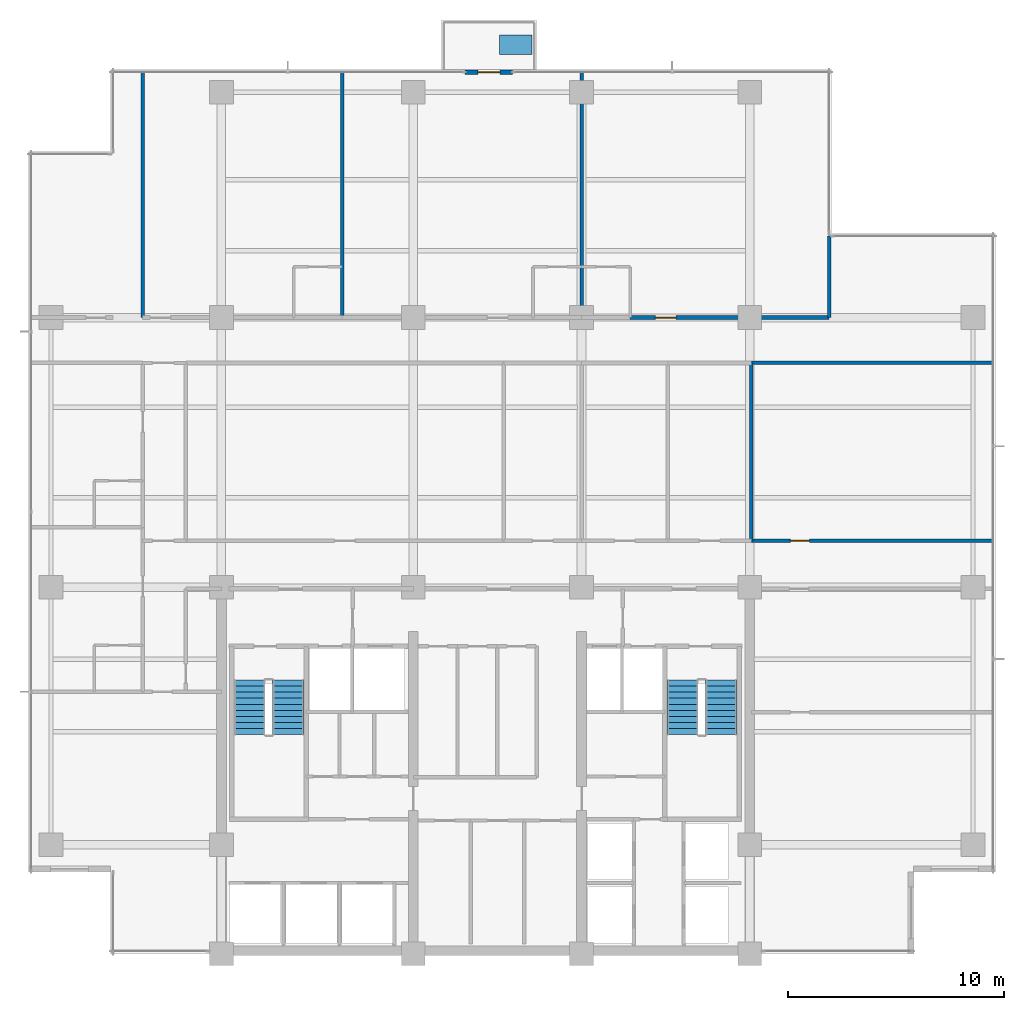
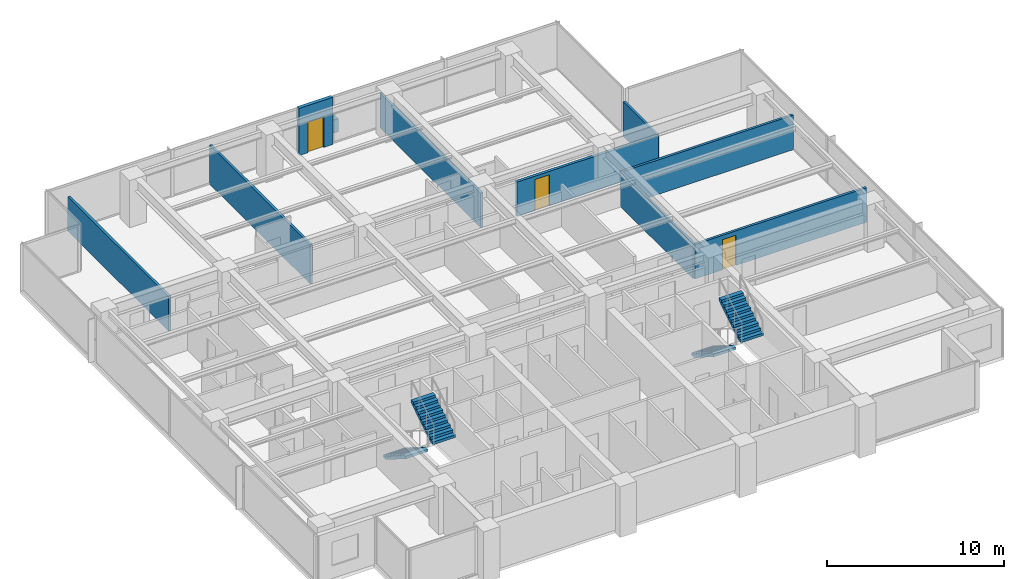
# One storey, part 10 of 15: 9 walls, 4 stair flights, 3 doors, 1 discrete accessory, 3 openings, 2 elements without a shape of their own.
"""IFC4 building model written with IfcOpenShell, lengths in metres."""

from ifc_helpers import new_model, si_unit, direction, frame, frame_2d, origin, place, context, subcontext, project, spatial, polyline, rectangle, outline, extrude, material, layer, layer_set, type_object, element, fill, aggregate, save


model = new_model("IFC4")

# Units and contexts
model_context = context("Model", 3, precision=1e-05, world=origin(), true_north=direction((0.0, 1.0)))
body_context = subcontext(model_context, "Body", "Model", "MODEL_VIEW")
ifc_project = project(units=[si_unit("LENGTHUNIT", "METRE"), si_unit("AREAUNIT", "SQUARE_METRE"), si_unit("VOLUMEUNIT", "CUBIC_METRE"), si_unit("PLANEANGLEUNIT", "RADIAN"), si_unit("MASSUNIT", "GRAM", prefix="KILO")], contexts=[model_context])

# Site, building, storey
site_placement = place(None, origin())
site = spatial("IfcSite", under=ifc_project, at=site_placement, CompositionType="ELEMENT")
building_placement = place(site_placement, origin())
building = spatial("IfcBuilding", under=site, at=building_placement, Name="Qalmaran Belvedere Hotel", CompositionType="ELEMENT")
storey_placement = place(building_placement, frame((0.0, 0.0, 159.60009765625)))
storey = spatial("IfcBuildingStorey", under=building, at=storey_placement, Name="L40", CompositionType="ELEMENT", Elevation=159.60009765625)

# Wall, opening, door
ifc_material_1 = material(Name="Anodised Bronze Cladding")
ifc_layer_1 = layer(ifc_material_1, 0.22509765625, Name="Anodised Bronze Cladding")
ifc_layer_set_1 = layer_set([ifc_layer_1], Name="Anodised Bronze Cladding")
wall_type_1 = type_object("IfcWallType", Name="WL-BAL-PORT-225", PredefinedType="SOLIDWALL", material=ifc_layer_set_1)
wall_1_placement = place(storey_placement, frame((31.60009765625, 44.3798828125, 0.0), z_axis=(0.0, 0.0, 1.0), x_axis=(1.0, 0.0, 0.0)))
wall_1 = element("IfcWall", 1, at=wall_1_placement, inside=storey, type_object=wall_type_1, Name="L40 Tree Balcony Door Portal", PredefinedType="SOLIDWALL", context=body_context, shape_type="SweptSolid", body=[
    extrude(rectangle(XDim=2.199951171875, YDim=0.22509765625, at=frame_2d((1.10009765625, 0.0))), origin(), (0.0, 0.0, 1.0), 3.25),
])
opening_1_placement = place(wall_1_placement, frame((0.590087890625, 0.0, 0.0)))
opening_1 = element("IfcOpeningElement", 2, at=opening_1_placement, cuts=wall_1, Name="Opening BL-102", PredefinedType="OPENING", context=body_context, shape_type="SweptSolid", body=[
    extrude(rectangle(XDim=1.02001953125, YDim=2.10009765625, at=frame_2d((0.510009765625, 1.050048828125))), frame((0.0, 0.12255859375, 0.0), z_axis=(0.0, -1.0, 0.0), x_axis=(1.0, 0.0, 0.0)), (0.0, 0.0, 1.0), 0.2451171875),
])
ifc_material_2 = material(Name="Anodised Bronze Aluminium", Category="aluminium")
door_type_1 = type_object("IfcDoorType", Name="DR-BAL-1020X2100", OperationType="NOTDEFINED", PredefinedType="DOOR", material=ifc_material_2)
door_1_placement = place(opening_1_placement, origin())
door_1 = element("IfcDoor", 3, at=door_1_placement, inside=storey, type_object=door_type_1, Name="L40 Planted Tree Balcony Door", OperationType="SINGLE_SWING_LEFT", OverallHeight=2.10009765625, OverallWidth=1.02001953125, PredefinedType="DOOR", context=body_context, shape_type="SweptSolid", body=[
    extrude(rectangle(XDim=1.02001953125, YDim=2.10009765625, at=frame_2d((0.510009765625, 1.050048828125))), frame((0.0, 0.02490234375, 0.0), z_axis=(0.0, -1.0, 0.0), x_axis=(1.0, 0.0, 0.0)), (0.0, 0.0, 1.0), 0.050048828125),
])
fill(opening_1, door_1)

ifc_material_3 = material(Name="Gypsum Stud Partition")
ifc_layer_2 = layer(ifc_material_3, 0.159912109375, Name="Gypsum Stud Partition")
ifc_layer_set_2 = layer_set([ifc_layer_2], Name="Gypsum Stud Partition")
wall_type_2 = type_object("IfcWallType", Name="WL-INT-160-EI60", PredefinedType="PARTITIONING", material=ifc_layer_set_2)
wall_2_placement = place(storey_placement, frame((44.8798828125, 22.64990234375, 0.0), z_axis=(0.0, 0.0, 1.0), x_axis=(1.0, 0.0, 0.0)))
wall_2 = element("IfcWall", 4, at=wall_2_placement, inside=storey, type_object=wall_type_2, Name="L40 Partition WL-L40-ECE2N", PredefinedType="PARTITIONING", context=body_context, shape_type="SweptSolid", body=[
    extrude(rectangle(XDim=11.2001953125, YDim=0.159912109375, at=frame_2d((5.60009765625, 0.0))), origin(), (0.0, 0.0, 1.0), 2.3798828125),
])
opening_2_placement = place(wall_2_placement, frame((1.800048828125, 0.0, 0.0)))
opening_2 = element("IfcOpeningElement", 5, at=opening_2_placement, cuts=wall_2, Name="Opening FD60B", PredefinedType="OPENING", context=body_context, shape_type="SweptSolid", body=[
    extrude(rectangle(XDim=0.8798828125, YDim=2.080078125, at=frame_2d((0.43994140625, 1.0400390625))), frame((0.0, 0.08984375, 0.0), z_axis=(0.0, -1.0, 0.0), x_axis=(1.0, 0.0, 0.0)), (0.0, 0.0, 1.0), 0.179931640625),
])
ifc_material_4 = material(Name="Steel S355JR", Category="steel")
door_type_2 = type_object("IfcDoorType", Name="DR-FD60B-880X2080", OperationType="NOTDEFINED", PredefinedType="DOOR", material=ifc_material_4)
door_2_placement = place(opening_2_placement, origin())
door_2 = element("IfcDoor", 6, at=door_2_placement, inside=storey, type_object=door_type_2, Name="L40 East Fitness Door", OperationType="SINGLE_SWING_LEFT", OverallHeight=2.080078125, OverallWidth=0.8798828125, PredefinedType="DOOR", context=body_context, shape_type="SweptSolid", body=[
    extrude(rectangle(XDim=0.8798828125, YDim=2.080078125, at=frame_2d((0.43994140625, 1.0400390625))), frame((0.0, 0.02490234375, 0.0), z_axis=(0.0, -1.0, 0.0), x_axis=(1.0, 0.0, 0.0)), (0.0, 0.0, 1.0), 0.050048828125),
])
fill(opening_2, door_2)

# Walls
wall_3_placement = place(storey_placement, frame((44.8798828125, 30.89990234375, 0.0), z_axis=(0.0, 0.0, 1.0), x_axis=(1.0, 0.0, 0.0)))
element("IfcWall", 7, at=wall_3_placement, inside=storey, type_object=wall_type_2, Name="L40 Partition WL-L40-ECEN", PredefinedType="PARTITIONING", context=body_context, shape_type="SweptSolid", body=[
    extrude(rectangle(XDim=11.2001953125, YDim=0.159912109375, at=frame_2d((5.60009765625, 0.0))), origin(), (0.0, 0.0, 1.0), 2.3798828125),
])
wall_4_placement = place(storey_placement, frame((44.8798828125, 22.64990234375, 0.0), z_axis=(0.0, 0.0, 1.0), x_axis=(0.0, 1.0, 0.0)))
element("IfcWall", 8, at=wall_4_placement, inside=storey, type_object=wall_type_2, Name="L40 Partition WL-L40-MIDVR4", PredefinedType="PARTITIONING", context=body_context, shape_type="SweptSolid", body=[
    extrude(rectangle(XDim=8.25, YDim=0.159912109375, at=frame_2d((4.125, 0.0))), origin(), (0.0, 0.0, 1.0), 2.3798828125),
])
wall_5_placement = place(storey_placement, frame((16.64990234375, 33.0, 0.0), z_axis=(0.0, 0.0, 1.0), x_axis=(0.0, 1.0, 0.0)))
element("IfcWall", 9, at=wall_5_placement, inside=storey, type_object=wall_type_2, Name="L40 Partition WL-L40-NUL", PredefinedType="PARTITIONING", context=body_context, shape_type="SweptSolid", body=[
    extrude(rectangle(XDim=11.3798828125, YDim=0.159912109375, at=frame_2d((5.68994140625, 0.0))), origin(), (0.0, 0.0, 1.0), 2.3798828125),
])
wall_6_placement = place(storey_placement, frame((25.897216796875, 33.0, 0.0), z_axis=(0.0, 0.0, 1.0), x_axis=(0.0, 1.0, 0.0)))
element("IfcWall", 10, at=wall_6_placement, inside=storey, type_object=wall_type_2, Name="L40 Partition WL-L40-NUR00", PredefinedType="PARTITIONING", context=body_context, shape_type="SweptSolid", body=[
    extrude(rectangle(XDim=11.3798828125, YDim=0.159912109375, at=frame_2d((5.68994140625, 0.0))), origin(), (0.0, 0.0, 1.0), 2.69189453125),
])
wall_7_placement = place(storey_placement, frame((37.0, 33.0, 0.0), z_axis=(0.0, 0.0, 1.0), x_axis=(0.0, 1.0, 0.0)))
element("IfcWall", 11, at=wall_7_placement, inside=storey, type_object=wall_type_2, Name="L40 Partition WL-L40-NUR01", PredefinedType="PARTITIONING", context=body_context, shape_type="SweptSolid", body=[
    extrude(rectangle(XDim=11.3798828125, YDim=0.159912109375, at=frame_2d((5.68994140625, 0.0))), origin(), (0.0, 0.0, 1.0), 2.3798828125),
])
wall_8_placement = place(storey_placement, frame((48.47998046875, 33.0, 0.0), z_axis=(0.0, 0.0, 1.0), x_axis=(0.0, 1.0, 0.0)))
element("IfcWall", 12, at=wall_8_placement, inside=storey, type_object=wall_type_2, Name="L40 Partition WL-L40-NUR02", PredefinedType="PARTITIONING", context=body_context, shape_type="SweptSolid", body=[
    extrude(rectangle(XDim=3.780029296875, YDim=0.159912109375, at=frame_2d((1.89013671875, 0.0))), origin(), (0.0, 0.0, 1.0), 2.3798828125),
])

# Wall, opening, door
ifc_layer_3 = layer(ifc_material_3, 0.179931640625, Name="Gypsum Stud Partition")
ifc_layer_set_3 = layer_set([ifc_layer_3], Name="Gypsum Stud Partition")
wall_type_3 = type_object("IfcWallType", Name="WL-INT-180-EI60", PredefinedType="PARTITIONING", material=ifc_layer_set_3)
wall_9_placement = place(storey_placement, frame((39.25, 33.0, 0.0), z_axis=(0.0, 0.0, 1.0), x_axis=(1.0, 0.0, 0.0)))
wall_9 = element("IfcWall", 13, at=wall_9_placement, inside=storey, type_object=wall_type_3, Name="L40 Partition WL-L40-NEC02", PredefinedType="PARTITIONING", context=body_context, shape_type="SweptSolid", body=[
    extrude(rectangle(XDim=9.22998046875, YDim=0.179931640625, at=frame_2d((4.614990234375, 0.0))), origin(), (0.0, 0.0, 1.0), 2.3798828125),
])
opening_3_placement = place(wall_9_placement, frame((1.17041015625, 0.0, 0.0)))
opening_3 = element("IfcOpeningElement", 14, at=opening_3_placement, cuts=wall_9, Name="Opening FD60", PredefinedType="OPENING", context=body_context, shape_type="SweptSolid", body=[
    extrude(rectangle(XDim=0.949951171875, YDim=2.14990234375, at=frame_2d((0.47509765625, 1.074951171875))), frame((0.0, 0.10009765625, 0.0), z_axis=(0.0, -1.0, 0.0), x_axis=(1.0, 0.0, 0.0)), (0.0, 0.0, 1.0), 0.199951171875),
])
ifc_material_5 = material(Name="Engineered Oak Veneer")
door_type_3 = type_object("IfcDoorType", Name="DR-FD60-950X2150", OperationType="NOTDEFINED", PredefinedType="DOOR", material=ifc_material_5)
door_3_placement = place(opening_3_placement, origin())
door_3 = element("IfcDoor", 15, at=door_3_placement, inside=storey, type_object=door_type_3, Name="L40 Guest Entrance Door N03", OperationType="SINGLE_SWING_LEFT", OverallHeight=2.14990234375, OverallWidth=0.949951171875, PredefinedType="DOOR", context=body_context, shape_type="SweptSolid", body=[
    extrude(rectangle(XDim=0.949951171875, YDim=2.14990234375, at=frame_2d((0.47509765625, 1.074951171875))), frame((0.0, 0.02490234375, 0.0), z_axis=(0.0, -1.0, 0.0), x_axis=(1.0, 0.0, 0.0)), (0.0, 0.0, 1.0), 0.050048828125),
])
fill(opening_3, door_3)

# Stair, stair flights
ifc_material_6 = material(Name="Concrete C40/50", Category="concrete")
stair_type_1 = type_object("IfcStairType", Name="STR-ST-1-1450-R1750", PredefinedType="HALF_TURN_STAIR", material=ifc_material_6)
stair_1_placement = place(storey_placement, origin())
stair_1 = element("IfcStair", 16, at=stair_1_placement, inside=storey, type_object=stair_type_1, Name="L40 West Core Exit Stair ST-1", PredefinedType="HALF_TURN_STAIR")
ifc_layer_4 = layer(ifc_material_6, 0.14990234375, Name="Concrete C40/50")
ifc_layer_set_4 = layer_set([ifc_layer_4], Name="Concrete C40/50")
stair_flight_type_1 = type_object("IfcStairFlightType", Name="STF-ST-1-1450-R1750", PredefinedType="STRAIGHT", material=ifc_layer_set_4)
stair_flight_1_placement = place(storey_placement, frame((21.60498046875, 16.18994140625, 0.0), z_axis=(0.0, 0.0, 1.0), x_axis=(0.0, -1.0, 0.0)))
stair_flight_1 = element("IfcStairFlight", 17, at=stair_flight_1_placement, type_object=stair_flight_type_1, Name="ST-1 flight 1", NumberOfRisers=10, NumberOfTreads=9, PredefinedType="STRAIGHT", RiserHeight=0.175, TreadLength=0.28, context=body_context, shape_type="SweptSolid", body=[
    extrude(outline(polyline([(0.0, 0.0), (0.0, 0.175048828125), (0.280029296875, 0.175048828125), (0.280029296875, 0.35009765625), (0.56005859375, 0.35009765625), (0.56005859375, 0.52490234375), (0.840087890625, 0.52490234375), (0.840087890625, 0.699951171875), (1.1201171875, 0.699951171875), (1.1201171875, 0.875), (1.39990234375, 0.875), (1.39990234375, 1.050048828125), (1.679931640625, 1.050048828125), (1.679931640625, 1.22509765625), (1.9599609375, 1.22509765625), (1.9599609375, 1.39990234375), (2.239990234375, 1.39990234375), (2.239990234375, 1.574951171875), (2.52001953125, 1.574951171875), (2.52001953125, 1.75), (2.52001953125, 1.398193359375), (0.28271484375, 0.0), (0.0, 0.0)])), frame((0.0, 0.72509765625, 0.0), z_axis=(0.0, -1.0, 0.0), x_axis=(1.0, 0.0, 0.0)), (0.0, 0.0, 1.0), 1.449951171875),
])
stair_flight_2_placement = place(storey_placement, frame((23.39501953125, 13.669921875, 1.75), z_axis=(0.0, 0.0, 1.0), x_axis=(0.0, 1.0, 0.0)))
stair_flight_2 = element("IfcStairFlight", 18, at=stair_flight_2_placement, type_object=stair_flight_type_1, Name="ST-1 flight 2", NumberOfRisers=10, NumberOfTreads=9, PredefinedType="STRAIGHT", RiserHeight=0.175, TreadLength=0.28, context=body_context, shape_type="SweptSolid", body=[
    extrude(outline(polyline([(0.0, 0.0), (0.0, 0.175048828125), (0.280029296875, 0.175048828125), (0.280029296875, 0.35009765625), (0.56005859375, 0.35009765625), (0.56005859375, 0.52490234375), (0.840087890625, 0.52490234375), (0.840087890625, 0.699951171875), (1.1201171875, 0.699951171875), (1.1201171875, 0.875), (1.39990234375, 0.875), (1.39990234375, 1.050048828125), (1.679931640625, 1.050048828125), (1.679931640625, 1.22509765625), (1.9599609375, 1.22509765625), (1.9599609375, 1.39990234375), (2.239990234375, 1.39990234375), (2.239990234375, 1.574951171875), (2.52001953125, 1.574951171875), (2.52001953125, 1.75), (2.52001953125, 1.398193359375), (0.28271484375, 0.0), (0.0, 0.0)])), frame((0.0, 0.72509765625, 0.0), z_axis=(0.0, -1.0, 0.0), x_axis=(1.0, 0.0, 0.0)), (0.0, 0.0, 1.0), 1.449951171875),
])
aggregate(stair_1, [stair_flight_1, stair_flight_2])

stair_type_2 = type_object("IfcStairType", Name="STR-ST-2-1450-R1750", PredefinedType="HALF_TURN_STAIR", material=ifc_material_6)
stair_2_placement = place(storey_placement, origin())
stair_2 = element("IfcStair", 19, at=stair_2_placement, inside=storey, type_object=stair_type_2, Name="L40 East Core Exit Stair ST-2", PredefinedType="HALF_TURN_STAIR")
ifc_layer_5 = layer(ifc_material_6, 0.14990234375, Name="Concrete C40/50")
ifc_layer_set_5 = layer_set([ifc_layer_5], Name="Concrete C40/50")
stair_flight_type_2 = type_object("IfcStairFlightType", Name="STF-ST-2-1450-R1750", PredefinedType="STRAIGHT", material=ifc_layer_set_5)
stair_flight_3_placement = place(storey_placement, frame((41.68505859375, 16.18994140625, 0.0), z_axis=(0.0, 0.0, 1.0), x_axis=(0.0, -1.0, 0.0)))
stair_flight_3 = element("IfcStairFlight", 20, at=stair_flight_3_placement, type_object=stair_flight_type_2, Name="ST-2 flight 1", NumberOfRisers=10, NumberOfTreads=9, PredefinedType="STRAIGHT", RiserHeight=0.175, TreadLength=0.28, context=body_context, shape_type="SweptSolid", body=[
    extrude(outline(polyline([(0.0, 0.0), (0.0, 0.175048828125), (0.280029296875, 0.175048828125), (0.280029296875, 0.35009765625), (0.56005859375, 0.35009765625), (0.56005859375, 0.52490234375), (0.840087890625, 0.52490234375), (0.840087890625, 0.699951171875), (1.1201171875, 0.699951171875), (1.1201171875, 0.875), (1.39990234375, 0.875), (1.39990234375, 1.050048828125), (1.679931640625, 1.050048828125), (1.679931640625, 1.22509765625), (1.9599609375, 1.22509765625), (1.9599609375, 1.39990234375), (2.239990234375, 1.39990234375), (2.239990234375, 1.574951171875), (2.52001953125, 1.574951171875), (2.52001953125, 1.75), (2.52001953125, 1.398193359375), (0.28271484375, 0.0), (0.0, 0.0)])), frame((0.0, 0.72509765625, 0.0), z_axis=(0.0, -1.0, 0.0), x_axis=(1.0, 0.0, 0.0)), (0.0, 0.0, 1.0), 1.449951171875),
])
stair_flight_4_placement = place(storey_placement, frame((43.47509765625, 13.669921875, 1.75), z_axis=(0.0, 0.0, 1.0), x_axis=(0.0, 1.0, 0.0)))
stair_flight_4 = element("IfcStairFlight", 21, at=stair_flight_4_placement, type_object=stair_flight_type_2, Name="ST-2 flight 2", NumberOfRisers=10, NumberOfTreads=9, PredefinedType="STRAIGHT", RiserHeight=0.175, TreadLength=0.28, context=body_context, shape_type="SweptSolid", body=[
    extrude(outline(polyline([(0.0, 0.0), (0.0, 0.175048828125), (0.280029296875, 0.175048828125), (0.280029296875, 0.35009765625), (0.56005859375, 0.35009765625), (0.56005859375, 0.52490234375), (0.840087890625, 0.52490234375), (0.840087890625, 0.699951171875), (1.1201171875, 0.699951171875), (1.1201171875, 0.875), (1.39990234375, 0.875), (1.39990234375, 1.050048828125), (1.679931640625, 1.050048828125), (1.679931640625, 1.22509765625), (1.9599609375, 1.22509765625), (1.9599609375, 1.39990234375), (2.239990234375, 1.39990234375), (2.239990234375, 1.574951171875), (2.52001953125, 1.574951171875), (2.52001953125, 1.75), (2.52001953125, 1.398193359375), (0.28271484375, 0.0), (0.0, 0.0)])), frame((0.0, 0.72509765625, 0.0), z_axis=(0.0, -1.0, 0.0), x_axis=(1.0, 0.0, 0.0)), (0.0, 0.0, 1.0), 1.449951171875),
])
aggregate(stair_2, [stair_flight_3, stair_flight_4])

# Discrete accessory
discrete_accessory_type = type_object("IfcDiscreteAccessoryType", Name="PLN-BAL-1500", PredefinedType="USERDEFINED", material=ifc_material_6)
discrete_accessory_placement = place(storey_placement, origin())
element("IfcDiscreteAccessory", 22, at=discrete_accessory_placement, inside=storey, type_object=discrete_accessory_type, Name="L40 Sky Tree Planter", ObjectType="PLANTER", PredefinedType="USERDEFINED", context=body_context, shape_type="SweptSolid", body=[
    extrude(outline(polyline([(33.199951171875, 45.199951171875), (34.699951171875, 45.199951171875), (34.699951171875, 46.10009765625), (33.199951171875, 46.10009765625), (33.199951171875, 45.199951171875)])), origin(), (0.0, 0.0, 1.0), 0.89990234375),
])

save(model, "model.ifc")
